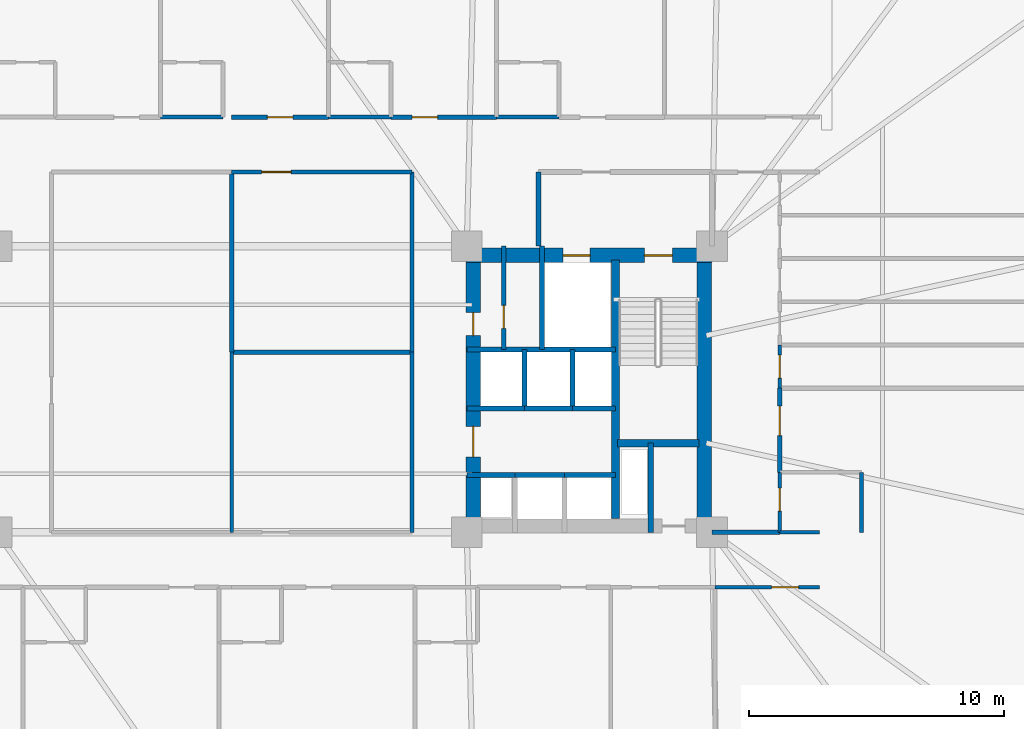
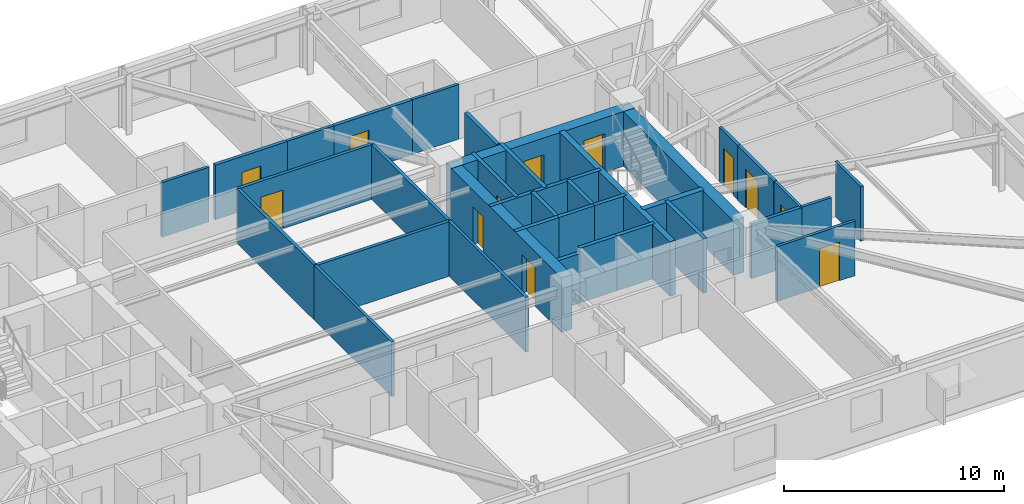
# One storey, part 17 of 22: 36 walls, 12 doors, 12 openings.
"""IFC4 building model written with IfcOpenShell, lengths in metres."""

from ifc_helpers import new_model, si_unit, direction, frame, frame_2d, origin, place, context, subcontext, project, spatial, rectangle, extrude, material, layer, layer_set, type_object, element, fill, save


model = new_model("IFC4")

# Units and contexts
model_context = context("Model", 3, precision=1e-05, world=origin(), true_north=direction((0.0, 1.0)))
body_context = subcontext(model_context, "Body", "Model", "MODEL_VIEW")
ifc_project = project(units=[si_unit("LENGTHUNIT", "METRE"), si_unit("AREAUNIT", "SQUARE_METRE"), si_unit("VOLUMEUNIT", "CUBIC_METRE"), si_unit("PLANEANGLEUNIT", "RADIAN"), si_unit("MASSUNIT", "GRAM", prefix="KILO")], contexts=[model_context])

# Site, building, storey
site_placement = place(None, origin())
site = spatial("IfcSite", under=ifc_project, at=site_placement, CompositionType="ELEMENT")
building_placement = place(site_placement, origin())
building = spatial("IfcBuilding", under=site, at=building_placement, Name="Qobustan Lattice House", CompositionType="ELEMENT")
storey_placement = place(building_placement, frame((0.0, 0.0, 33.699951171875)))
storey = spatial("IfcBuildingStorey", under=building, at=storey_placement, Name="L08", CompositionType="ELEMENT", Elevation=33.699951171875)

# Wall, openings, doors
ifc_material_1 = material(Name="Concrete C60/75", Category="concrete")
ifc_layer_1 = layer(ifc_material_1, 0.56005859375)
ifc_layer_set_1 = layer_set([ifc_layer_1], Name="Concrete C60/75")
wall_type_1 = type_object("IfcWallType", Name="WAL-CORE-600", PredefinedType="SHEAR", material=ifc_layer_set_1)
wall_1_placement = place(storey_placement, frame((9.199951171875, 5.239990234375, 0.0), z_axis=(0.0, 0.0, 1.0), x_axis=(1.0, 0.0, 0.0)))
wall_1 = element("IfcWall", 1, at=wall_1_placement, inside=storey, type_object=wall_type_1, Name="L08 split-core shear wall CE-N", PredefinedType="SHEAR", context=body_context, shape_type="SweptSolid", body=[
    extrude(rectangle(XDim=9.60009765625, YDim=0.56005859375, at=frame_2d((4.800048828125, 0.0))), origin(), (0.0, 0.0, 1.0), 3.03515625),
])
opening_1_placement = place(wall_1_placement, frame((6.949951171875, 0.0, 0.0)))
opening_1 = element("IfcOpeningElement", 2, at=opening_1_placement, cuts=wall_1, Name="Opening SD-01", PredefinedType="OPENING", context=body_context, shape_type="SweptSolid", body=[
    extrude(rectangle(XDim=1.10009765625, YDim=2.14990234375, at=frame_2d((0.550048828125, 1.074951171875))), frame((0.0, 0.2900390625, 0.0), z_axis=(0.0, -1.0, 0.0), x_axis=(1.0, 0.0, 0.0)), (0.0, 0.0, 1.0), 0.580078125),
])
opening_2_placement = place(wall_1_placement, frame((3.77490234375, 0.0, 0.0)))
opening_2 = element("IfcOpeningElement", 3, at=opening_2_placement, cuts=wall_1, Name="Opening LD-01", PredefinedType="OPENING", context=body_context, shape_type="SweptSolid", body=[
    extrude(rectangle(XDim=1.050048828125, YDim=2.10009765625, at=frame_2d((0.52490234375, 1.050048828125))), frame((0.0, 0.2900390625, 0.0), z_axis=(0.0, -1.0, 0.0), x_axis=(1.0, 0.0, 0.0)), (0.0, 0.0, 1.0), 0.580078125),
])
ifc_material_2 = material(Name="Persian walnut timber and steel frame door", Category="steel")
door_type_1 = type_object("IfcDoorType", Name="DOR-LIFT-LD-1050x2100", OperationType="NOTDEFINED", PredefinedType="DOOR", material=ifc_material_2)
door_1_placement = place(opening_2_placement, origin())
door_1 = element("IfcDoor", 4, at=door_1_placement, inside=storey, type_object=door_type_1, Name="L08 firefighting lift FF-E landing door", OperationType="DOUBLE_DOOR_SLIDING", OverallHeight=2.10009765625, OverallWidth=1.050048828125, PredefinedType="DOOR", context=body_context, shape_type="SweptSolid", body=[
    extrude(rectangle(XDim=1.050048828125, YDim=2.10009765625, at=frame_2d((0.52490234375, 1.050048828125))), frame((0.0, 0.02490234375, 0.0), z_axis=(0.0, -1.0, 0.0), x_axis=(1.0, 0.0, 0.0)), (0.0, 0.0, 1.0), 0.050048828125),
])
fill(opening_2, door_1)
ifc_material_3 = material(Name="Persian walnut timber and steel frame door", Category="steel")
door_type_2 = type_object("IfcDoorType", Name="DOR-STAIR-FD-1100x2150", OperationType="NOTDEFINED", PredefinedType="DOOR", material=ifc_material_3)
door_2_placement = place(opening_1_placement, origin())
door_2 = element("IfcDoor", 5, at=door_2_placement, inside=storey, type_object=door_type_2, Name="L08 exit stair ST-E1 fire door", OperationType="SINGLE_SWING_RIGHT", OverallHeight=2.14990234375, OverallWidth=1.10009765625, PredefinedType="DOOR", context=body_context, shape_type="SweptSolid", body=[
    extrude(rectangle(XDim=1.10009765625, YDim=2.14990234375, at=frame_2d((0.550048828125, 1.074951171875))), frame((0.0, 0.02490234375, 0.0), z_axis=(0.0, -1.0, 0.0), x_axis=(1.0, 0.0, 0.0)), (0.0, 0.0, 1.0), 0.050048828125),
])
fill(opening_1, door_2)

wall_2_placement = place(storey_placement, frame((9.449951171875, -5.050048828125, 0.0), z_axis=(0.0, 0.0, 1.0), x_axis=(0.0, 1.0, 0.0)))
wall_2 = element("IfcWall", 6, at=wall_2_placement, inside=storey, type_object=wall_type_1, Name="L08 split-core shear wall CE-W", PredefinedType="SHEAR", context=body_context, shape_type="SweptSolid", body=[
    extrude(rectangle(XDim=10.10009765625, YDim=0.56005859375, at=frame_2d((5.050048828125, 0.0))), origin(), (0.0, 0.0, 1.0), 3.03515625),
])
opening_3_placement = place(wall_2_placement, frame((7.14990234375, 0.0, 0.0)))
opening_3 = element("IfcOpeningElement", 7, at=opening_3_placement, cuts=wall_2, Name="Opening RD-01", PredefinedType="OPENING", context=body_context, shape_type="SweptSolid", body=[
    extrude(rectangle(XDim=0.89990234375, YDim=2.10009765625, at=frame_2d((0.449951171875, 1.050048828125))), frame((0.0, 0.2900390625, 0.0), z_axis=(0.0, -1.0, 0.0), x_axis=(1.0, 0.0, 0.0)), (0.0, 0.0, 1.0), 0.580078125),
])
opening_4_placement = place(wall_2_placement, frame((2.39990234375, 0.0, 0.0)))
opening_4 = element("IfcOpeningElement", 8, at=opening_4_placement, cuts=wall_2, Name="Opening FD-01", PredefinedType="OPENING", context=body_context, shape_type="SweptSolid", body=[
    extrude(rectangle(XDim=1.199951171875, YDim=2.14990234375, at=frame_2d((0.60009765625, 1.074951171875))), frame((0.0, 0.2900390625, 0.0), z_axis=(0.0, -1.0, 0.0), x_axis=(1.0, 0.0, 0.0)), (0.0, 0.0, 1.0), 0.580078125),
])
ifc_material_4 = material(Name="Persian walnut timber and steel frame door", Category="steel")
door_type_3 = type_object("IfcDoorType", Name="DOR-LOBBY-FD-1200x2150", OperationType="NOTDEFINED", PredefinedType="DOOR", material=ifc_material_4)
door_3_placement = place(opening_4_placement, origin())
door_3 = element("IfcDoor", 9, at=door_3_placement, inside=storey, type_object=door_type_3, Name="L08 East passenger lift lobby fire door", OperationType="SINGLE_SWING_LEFT", OverallHeight=2.14990234375, OverallWidth=1.199951171875, PredefinedType="DOOR", context=body_context, shape_type="SweptSolid", body=[
    extrude(rectangle(XDim=1.199951171875, YDim=2.14990234375, at=frame_2d((0.60009765625, 1.074951171875))), frame((0.0, 0.02490234375, 0.0), z_axis=(0.0, -1.0, 0.0), x_axis=(1.0, 0.0, 0.0)), (0.0, 0.0, 1.0), 0.050048828125),
])
fill(opening_4, door_3)
ifc_material_5 = material(Name="Persian walnut timber and steel frame door", Category="steel")
door_type_4 = type_object("IfcDoorType", Name="DOR-RISER-FD-900x2100", OperationType="NOTDEFINED", PredefinedType="DOOR", material=ifc_material_5)
door_4_placement = place(opening_3_placement, origin())
door_4 = element("IfcDoor", 10, at=door_4_placement, inside=storey, type_object=door_type_4, Name="L08 Print and mail closet fire door", OperationType="SINGLE_SWING_RIGHT", OverallHeight=2.10009765625, OverallWidth=0.89990234375, PredefinedType="DOOR", context=body_context, shape_type="SweptSolid", body=[
    extrude(rectangle(XDim=0.89990234375, YDim=2.10009765625, at=frame_2d((0.449951171875, 1.050048828125))), frame((0.0, 0.02490234375, 0.0), z_axis=(0.0, -1.0, 0.0), x_axis=(1.0, 0.0, 0.0)), (0.0, 0.0, 1.0), 0.050048828125),
])
fill(opening_3, door_4)

# Walls
wall_3_placement = place(storey_placement, frame((18.489990234375, -5.050048828125, 0.0), z_axis=(0.0, 0.0, 1.0), x_axis=(0.0, 1.0, 0.0)))
element("IfcWall", 11, at=wall_3_placement, inside=storey, type_object=wall_type_1, Name="L08 split-core shear wall CE-E", PredefinedType="SHEAR", context=body_context, shape_type="SweptSolid", body=[
    extrude(rectangle(XDim=10.10009765625, YDim=0.56005859375, at=frame_2d((5.050048828125, 0.0))), origin(), (0.0, 0.0, 1.0), 3.03515625),
])
ifc_material_6 = material(Name="Concrete C50/60", Category="concrete")
ifc_layer_2 = layer(ifc_material_6, 0.280029296875)
ifc_layer_set_2 = layer_set([ifc_layer_2], Name="Concrete C50/60")
wall_type_2 = type_object("IfcWallType", Name="WAL-CORE-SPINE-280", PredefinedType="SHEAR", material=ifc_layer_set_2)
wall_4_placement = place(storey_placement, frame((15.02001953125, -5.050048828125, 0.0), z_axis=(0.0, 0.0, 1.0), x_axis=(0.0, 1.0, 0.0)))
element("IfcWall", 12, at=wall_4_placement, inside=storey, type_object=wall_type_2, Name="L08 split-core shear wall CE-M", PredefinedType="SHEAR", context=body_context, shape_type="SweptSolid", body=[
    extrude(rectangle(XDim=10.10009765625, YDim=0.300048828125, at=frame_2d((5.050048828125, 0.0))), origin(), (0.0, 0.0, 1.0), 3.03515625),
])
wall_5_placement = place(storey_placement, frame((15.10009765625, -2.110107421875, 0.0), z_axis=(0.0, 0.0, 1.0), x_axis=(1.0, 0.0, 0.0)))
element("IfcWall", 13, at=wall_5_placement, inside=storey, type_object=wall_type_2, Name="L08 split-core shear wall CE-ST", PredefinedType="SHEAR", context=body_context, shape_type="SweptSolid", body=[
    extrude(rectangle(XDim=3.179931640625, YDim=0.300048828125, at=frame_2d((1.58984375, 0.0))), origin(), (0.0, 0.0, 1.0), 3.03515625),
])

# Wall, opening, door
ifc_material_7 = material(Name="Gypsum fireboard acoustic partition", Category="gypsum")
ifc_layer_3 = layer(ifc_material_7, 0.179931640625)
ifc_layer_set_3 = layer_set([ifc_layer_3], Name="Gypsum fireboard acoustic partition")
wall_type_3 = type_object("IfcWallType", Name="WAL-FIRE-180", PredefinedType="PARTITIONING", material=ifc_layer_set_3)
wall_6_placement = place(storey_placement, frame((10.64990234375, 1.550048828125, 0.0), z_axis=(0.0, 0.0, 1.0), x_axis=(0.0, 1.0, 0.0)))
wall_6 = element("IfcWall", 14, at=wall_6_placement, inside=storey, type_object=wall_type_3, Name="L08 interior partition 23", PredefinedType="PARTITIONING", context=body_context, shape_type="SweptSolid", body=[
    extrude(rectangle(XDim=4.050048828125, YDim=0.179931640625, at=frame_2d((2.02490234375, 0.0))), origin(), (0.0, 0.0, 1.0), 3.03515625),
])
opening_5_placement = place(wall_6_placement, frame((0.828857421875, 0.0, 0.0)))
opening_5 = element("IfcOpeningElement", 15, at=opening_5_placement, cuts=wall_6, Name="Opening RD-01", PredefinedType="OPENING", context=body_context, shape_type="SweptSolid", body=[
    extrude(rectangle(XDim=0.89990234375, YDim=2.10009765625, at=frame_2d((0.449951171875, 1.050048828125))), frame((0.0, 0.099853515625, 0.0), z_axis=(0.0, -1.0, 0.0), x_axis=(1.0, 0.0, 0.0)), (0.0, 0.0, 1.0), 0.199951171875),
])
door_5_placement = place(opening_5_placement, origin())
door_5 = element("IfcDoor", 16, at=door_5_placement, inside=storey, type_object=door_type_4, Name="L08 Print and mail closet to Core utility store door", OperationType="SINGLE_SWING_LEFT", OverallHeight=2.10009765625, OverallWidth=0.89990234375, PredefinedType="DOOR", context=body_context, shape_type="SweptSolid", body=[
    extrude(rectangle(XDim=0.89990234375, YDim=2.10009765625, at=frame_2d((0.449951171875, 1.050048828125))), frame((0.0, 0.02490234375, 0.0), z_axis=(0.0, -1.0, 0.0), x_axis=(1.0, 0.0, 0.0)), (0.0, 0.0, 1.0), 0.050048828125),
])
fill(opening_5, door_5)

wall_7_placement = place(storey_placement, frame((0.0, 10.64990234375, 0.0), z_axis=(0.0, 0.0, 1.0), x_axis=(1.0, 0.0, 0.0)))
wall_7 = element("IfcWall", 17, at=wall_7_placement, inside=storey, type_object=wall_type_3, Name="L08 interior partition 47", PredefinedType="PARTITIONING", context=body_context, shape_type="SweptSolid", body=[
    extrude(rectangle(XDim=3.785888671875, YDim=0.179931640625, at=frame_2d((1.89306640625, 0.0))), origin(), (0.0, 0.0, 1.0), 3.03515625),
])
opening_6_placement = place(wall_7_placement, frame((1.39306640625, 0.0, 0.0)))
opening_6 = element("IfcOpeningElement", 18, at=opening_6_placement, cuts=wall_7, Name="Opening FD-02", PredefinedType="OPENING", context=body_context, shape_type="SweptSolid", body=[
    extrude(rectangle(XDim=1.0, YDim=2.14990234375, at=frame_2d((0.5, 1.074951171875))), frame((0.0, 0.099853515625, 0.0), z_axis=(0.0, -1.0, 0.0), x_axis=(1.0, 0.0, 0.0)), (0.0, 0.0, 1.0), 0.199951171875),
])
ifc_material_8 = material(Name="Persian walnut timber and steel frame door", Category="steel")
door_type_5 = type_object("IfcDoorType", Name="DOR-UNIT-FD-1000x2150", OperationType="NOTDEFINED", PredefinedType="DOOR", material=ifc_material_8)
door_6_placement = place(opening_6_placement, origin())
door_6 = element("IfcDoor", 19, at=door_6_placement, inside=storey, type_object=door_type_5, Name="L08 North-east floor corridor to Kitchenette and studio apartment L08-N4 door", OperationType="SINGLE_SWING_RIGHT", OverallHeight=2.14990234375, OverallWidth=1.0, PredefinedType="DOOR", context=body_context, shape_type="SweptSolid", body=[
    extrude(rectangle(XDim=1.0, YDim=2.14990234375, at=frame_2d((0.5, 1.074951171875))), frame((0.0, 0.02490234375, 0.0), z_axis=(0.0, -1.0, 0.0), x_axis=(1.0, 0.0, 0.0)), (0.0, 0.0, 1.0), 0.050048828125),
])
fill(opening_6, door_6)

wall_8_placement = place(storey_placement, frame((6.236083984375, 10.64990234375, 0.0), z_axis=(0.0, 0.0, 1.0), x_axis=(1.0, 0.0, 0.0)))
wall_8 = element("IfcWall", 20, at=wall_8_placement, inside=storey, type_object=wall_type_3, Name="L08 interior partition 48", PredefinedType="PARTITIONING", context=body_context, shape_type="SweptSolid", body=[
    extrude(rectangle(XDim=4.120849609375, YDim=0.179931640625, at=frame_2d((2.060546875, 0.0))), origin(), (0.0, 0.0, 1.0), 3.03515625),
])
opening_7_placement = place(wall_8_placement, frame((0.8251953125, 0.0, 0.0)))
opening_7 = element("IfcOpeningElement", 21, at=opening_7_placement, cuts=wall_8, Name="Opening FD-02", PredefinedType="OPENING", context=body_context, shape_type="SweptSolid", body=[
    extrude(rectangle(XDim=1.0, YDim=2.14990234375, at=frame_2d((0.5, 1.074951171875))), frame((0.0, 0.099853515625, 0.0), z_axis=(0.0, -1.0, 0.0), x_axis=(1.0, 0.0, 0.0)), (0.0, 0.0, 1.0), 0.199951171875),
])
door_7_placement = place(opening_7_placement, origin())
door_7 = element("IfcDoor", 22, at=door_7_placement, inside=storey, type_object=door_type_5, Name="L08 North-east floor corridor to Kitchenette and studio apartment L08-N5 door", OperationType="SINGLE_SWING_LEFT", OverallHeight=2.14990234375, OverallWidth=1.0, PredefinedType="DOOR", context=body_context, shape_type="SweptSolid", body=[
    extrude(rectangle(XDim=1.0, YDim=2.14990234375, at=frame_2d((0.5, 1.074951171875))), frame((0.0, 0.02490234375, 0.0), z_axis=(0.0, -1.0, 0.0), x_axis=(1.0, 0.0, 0.0)), (0.0, 0.0, 1.0), 0.050048828125),
])
fill(opening_7, door_7)

# Wall
wall_9_placement = place(storey_placement, frame((18.800048828125, -5.60009765625, 0.0), z_axis=(0.0, 0.0, 1.0), x_axis=(1.0, 0.0, 0.0)))
element("IfcWall", 23, at=wall_9_placement, inside=storey, type_object=wall_type_3, Name="L08 interior partition 64", PredefinedType="PARTITIONING", context=body_context, shape_type="SweptSolid", body=[
    extrude(rectangle(XDim=2.64990234375, YDim=0.179931640625, at=frame_2d((1.324951171875, 0.0))), origin(), (0.0, 0.0, 1.0), 3.03515625),
])

# Wall, opening, door
ifc_material_9 = material(Name="Acoustic twin-stud gypsum partition", Category="gypsum")
ifc_layer_4 = layer(ifc_material_9, 0.14990234375)
ifc_layer_set_4 = layer_set([ifc_layer_4], Name="Acoustic twin-stud gypsum partition")
wall_type_4 = type_object("IfcWallType", Name="WAL-PART-150", PredefinedType="PARTITIONING", material=ifc_layer_set_4)
wall_10_placement = place(storey_placement, frame((23.0, -7.75, 0.0), z_axis=(0.0, 0.0, 1.0), x_axis=(-1.0, 0.0, 0.0)))
wall_10 = element("IfcWall", 24, at=wall_10_placement, inside=storey, type_object=wall_type_4, Name="L08 interior partition 71", PredefinedType="PARTITIONING", context=body_context, shape_type="SweptSolid", body=[
    extrude(rectangle(XDim=4.08349609375, YDim=0.14990234375, at=frame_2d((2.041748046875, 0.0))), origin(), (0.0, 0.0, 1.0), 3.03515625),
])
opening_8_placement = place(wall_10_placement, frame((0.814208984375, 0.0, 0.0)))
opening_8 = element("IfcOpeningElement", 25, at=opening_8_placement, cuts=wall_10, Name="Opening ID-02", PredefinedType="OPENING", context=body_context, shape_type="SweptSolid", body=[
    extrude(rectangle(XDim=1.050048828125, YDim=2.14990234375, at=frame_2d((0.52490234375, 1.074951171875))), frame((0.0, 0.0849609375, 0.0), z_axis=(0.0, -1.0, 0.0), x_axis=(1.0, 0.0, 0.0)), (0.0, 0.0, 1.0), 0.169921875),
])
ifc_material_10 = material(Name="Persian walnut timber and steel frame door", Category="steel")
door_type_6 = type_object("IfcDoorType", Name="DOR-STUDY-1050x2150", OperationType="NOTDEFINED", PredefinedType="DOOR", material=ifc_material_10)
door_8_placement = place(opening_8_placement, origin())
door_8 = element("IfcDoor", 26, at=door_8_placement, inside=storey, type_object=door_type_6, Name="L08 South-east floor corridor to Academic seminar room door", OperationType="SINGLE_SWING_RIGHT", OverallHeight=2.14990234375, OverallWidth=1.050048828125, PredefinedType="DOOR", context=body_context, shape_type="SweptSolid", body=[
    extrude(rectangle(XDim=1.050048828125, YDim=2.14990234375, at=frame_2d((0.52490234375, 1.074951171875))), frame((0.0, 0.02490234375, 0.0), z_axis=(0.0, -1.0, 0.0), x_axis=(1.0, 0.0, 0.0)), (0.0, 0.0, 1.0), 0.050048828125),
])
fill(opening_8, door_8)

# Wall
wall_11_placement = place(storey_placement, frame((7.050048828125, -5.60009765625, 0.0), z_axis=(0.0, 0.0, 1.0), x_axis=(0.0, 1.0, 0.0)))
element("IfcWall", 27, at=wall_11_placement, inside=storey, type_object=wall_type_4, Name="L08 interior partition 74", PredefinedType="PARTITIONING", context=body_context, shape_type="SweptSolid", body=[
    extrude(rectangle(XDim=7.050048828125, YDim=0.14990234375, at=frame_2d((3.52490234375, 0.0))), origin(), (0.0, 0.0, 1.0), 3.03515625),
])

# Wall, opening, door
wall_12_placement = place(storey_placement, frame((21.449951171875, 1.73193359375, 0.0), z_axis=(0.0, 0.0, 1.0), x_axis=(0.0, -1.0, 0.0)))
wall_12 = element("IfcWall", 28, at=wall_12_placement, inside=storey, type_object=wall_type_4, Name="L08 interior partition 92", PredefinedType="PARTITIONING", context=body_context, shape_type="SweptSolid", body=[
    extrude(rectangle(XDim=1.69189453125, YDim=0.14990234375, at=frame_2d((0.845947265625, 0.0))), origin(), (0.0, 0.0, 1.0), 3.03515625),
])
opening_9_placement = place(wall_12_placement, frame((0.39599609375, 0.0, 0.0)))
opening_9 = element("IfcOpeningElement", 29, at=opening_9_placement, cuts=wall_12, Name="Opening WD-01", PredefinedType="OPENING", context=body_context, shape_type="SweptSolid", body=[
    extrude(rectangle(XDim=0.89990234375, YDim=2.10009765625, at=frame_2d((0.449951171875, 1.050048828125))), frame((0.0, 0.0849609375, 0.0), z_axis=(0.0, -1.0, 0.0), x_axis=(1.0, 0.0, 0.0)), (0.0, 0.0, 1.0), 0.169921875),
])
ifc_material_11 = material(Name="Persian walnut timber and steel frame door", Category="steel")
door_type_7 = type_object("IfcDoorType", Name="DOR-WET-900x2100", OperationType="NOTDEFINED", PredefinedType="DOOR", material=ifc_material_11)
door_9_placement = place(opening_9_placement, origin())
door_9 = element("IfcDoor", 30, at=door_9_placement, inside=storey, type_object=door_type_7, Name="L08 Residence entrance hall L08E to Cluster bedroom L08E1 door", OperationType="SINGLE_SWING_RIGHT", OverallHeight=2.10009765625, OverallWidth=0.89990234375, PredefinedType="DOOR", context=body_context, shape_type="SweptSolid", body=[
    extrude(rectangle(XDim=0.89990234375, YDim=2.10009765625, at=frame_2d((0.449951171875, 1.050048828125))), frame((0.0, 0.02490234375, 0.0), z_axis=(0.0, -1.0, 0.0), x_axis=(1.0, 0.0, 0.0)), (0.0, 0.0, 1.0), 0.050048828125),
])
fill(opening_9, door_9)

# Wall
wall_13_placement = place(storey_placement, frame((0.0, 1.449951171875, 0.0), z_axis=(0.0, 0.0, 1.0), x_axis=(0.0, -1.0, 0.0)))
element("IfcWall", 31, at=wall_13_placement, inside=storey, type_object=wall_type_4, Name="L08 interior partition 142", PredefinedType="PARTITIONING", context=body_context, shape_type="SweptSolid", body=[
    extrude(rectangle(XDim=7.050048828125, YDim=0.14990234375, at=frame_2d((3.52490234375, 0.0))), origin(), (0.0, 0.0, 1.0), 3.03515625),
])

# Wall, opening, door
ifc_material_12 = material(Name="High-mass acoustic twin-stud partition", Category="gypsum")
ifc_layer_5 = layer(ifc_material_12, 0.1650390625)
ifc_layer_set_5 = layer_set([ifc_layer_5], Name="High-mass acoustic twin-stud partition")
wall_type_5 = type_object("IfcWallType", Name="WAL-PART-165", PredefinedType="PARTITIONING", material=ifc_layer_set_5)
wall_14_placement = place(storey_placement, frame((7.050048828125, 8.5, 0.0), z_axis=(0.0, 0.0, 1.0), x_axis=(-1.0, 0.0, 0.0)))
wall_14 = element("IfcWall", 32, at=wall_14_placement, inside=storey, type_object=wall_type_5, Name="L08 interior partition 53", PredefinedType="PARTITIONING", context=body_context, shape_type="SweptSolid", body=[
    extrude(rectangle(XDim=7.050048828125, YDim=0.1650390625, at=frame_2d((3.52490234375, 0.0))), origin(), (0.0, 0.0, 1.0), 3.03515625),
])
opening_10_placement = place(wall_14_placement, frame((4.7275390625, 0.0, 0.0)))
opening_10 = element("IfcOpeningElement", 33, at=opening_10_placement, cuts=wall_14, Name="Opening ID-03", PredefinedType="OPENING", context=body_context, shape_type="SweptSolid", body=[
    extrude(rectangle(XDim=1.14990234375, YDim=2.14990234375, at=frame_2d((0.574951171875, 1.074951171875))), frame((0.0, 0.092529296875, 0.0), z_axis=(0.0, -1.0, 0.0), x_axis=(1.0, 0.0, 0.0)), (0.0, 0.0, 1.0), 0.18505859375),
])
ifc_material_13 = material(Name="Persian walnut timber and steel frame door", Category="steel")
door_type_8 = type_object("IfcDoorType", Name="DOR-KITCH-1150x2150", OperationType="NOTDEFINED", PredefinedType="DOOR", material=ifc_material_13)
door_10_placement = place(opening_10_placement, origin())
door_10 = element("IfcDoor", 34, at=door_10_placement, inside=storey, type_object=door_type_8, Name="L08 North-east floor corridor to Communal kitchen dining door", OperationType="SINGLE_SWING_RIGHT", OverallHeight=2.14990234375, OverallWidth=1.14990234375, PredefinedType="DOOR", context=body_context, shape_type="SweptSolid", body=[
    extrude(rectangle(XDim=1.14990234375, YDim=2.14990234375, at=frame_2d((0.574951171875, 1.074951171875))), frame((0.0, 0.02490234375, 0.0), z_axis=(0.0, -1.0, 0.0), x_axis=(1.0, 0.0, 0.0)), (0.0, 0.0, 1.0), 0.050048828125),
])
fill(opening_10, door_10)

# Wall
wall_15_placement = place(storey_placement, frame((7.050048828125, 1.449951171875, 0.0), z_axis=(0.0, 0.0, 1.0), x_axis=(0.0, 1.0, 0.0)))
element("IfcWall", 35, at=wall_15_placement, inside=storey, type_object=wall_type_5, Name="L08 interior partition 75", PredefinedType="PARTITIONING", context=body_context, shape_type="SweptSolid", body=[
    extrude(rectangle(XDim=7.050048828125, YDim=0.1650390625, at=frame_2d((3.52490234375, 0.0))), origin(), (0.0, 0.0, 1.0), 3.03515625),
])

# Wall, opening, door
wall_16_placement = place(storey_placement, frame((21.449951171875, 0.0400390625, 0.0), z_axis=(0.0, 0.0, 1.0), x_axis=(0.0, -1.0, 0.0)))
wall_16 = element("IfcWall", 36, at=wall_16_placement, inside=storey, type_object=wall_type_5, Name="L08 interior partition 91", PredefinedType="PARTITIONING", context=body_context, shape_type="SweptSolid", body=[
    extrude(rectangle(XDim=3.2900390625, YDim=0.1650390625, at=frame_2d((1.64501953125, 0.0))), origin(), (0.0, 0.0, 1.0), 3.03515625),
])
opening_11_placement = place(wall_16_placement, frame((0.702392578125, 0.0, 0.0)))
opening_11 = element("IfcOpeningElement", 37, at=opening_11_placement, cuts=wall_16, Name="Opening ID-03", PredefinedType="OPENING", context=body_context, shape_type="SweptSolid", body=[
    extrude(rectangle(XDim=1.14990234375, YDim=2.14990234375, at=frame_2d((0.574951171875, 1.074951171875))), frame((0.0, 0.092529296875, 0.0), z_axis=(0.0, -1.0, 0.0), x_axis=(1.0, 0.0, 0.0)), (0.0, 0.0, 1.0), 0.18505859375),
])
door_11_placement = place(opening_11_placement, origin())
door_11 = element("IfcDoor", 38, at=door_11_placement, inside=storey, type_object=door_type_8, Name="L08 Residence entrance hall L08E to Shared kitchen L08E door", OperationType="SINGLE_SWING_LEFT", OverallHeight=2.14990234375, OverallWidth=1.14990234375, PredefinedType="DOOR", context=body_context, shape_type="SweptSolid", body=[
    extrude(rectangle(XDim=1.14990234375, YDim=2.14990234375, at=frame_2d((0.574951171875, 1.074951171875))), frame((0.0, 0.02490234375, 0.0), z_axis=(0.0, -1.0, 0.0), x_axis=(1.0, 0.0, 0.0)), (0.0, 0.0, 1.0), 0.050048828125),
])
fill(opening_11, door_11)

# Walls
for number, where, z_axis, x_axis, name in (
    (39, (0.0, 8.5, 0.0), (0.0, 0.0, 1.0), (0.0, -1.0, 0.0), "L08 interior partition 143"),
    (40, (0.0, 1.449951171875, 0.0), (0.0, 0.0, 1.0), (1.0, 0.0, 0.0), "L08 interior partition 144"),
):
    element("IfcWall", number, at=place(storey_placement, frame(where, z_axis=z_axis, x_axis=x_axis)), inside=storey, type_object=wall_type_5, Name=name, PredefinedType="PARTITIONING", context=body_context, shape_type="SweptSolid", body=[
        extrude(rectangle(XDim=7.050048828125, YDim=0.1650390625, at=frame_2d((3.52490234375, 0.0))), origin(), (0.0, 0.0, 1.0), 3.03515625),
    ])
ifc_material_14 = material(Name="Two-hour gypsum fireboard acoustic partition", Category="gypsum")
ifc_layer_6 = layer(ifc_material_14, 0.199951171875)
ifc_layer_set_6 = layer_set([ifc_layer_6], Name="Two-hour gypsum fireboard acoustic partition")
wall_type_6 = type_object("IfcWallType", Name="WAL-PROT-200", PredefinedType="PARTITIONING", material=ifc_layer_set_6)
wall_17_placement = place(storey_placement, frame((12.0, 8.5, 0.0), z_axis=(0.0, 0.0, 1.0), x_axis=(0.0, -1.0, 0.0)))
element("IfcWall", 41, at=wall_17_placement, inside=storey, type_object=wall_type_6, Name="L08 interior partition 21", PredefinedType="PARTITIONING", context=body_context, shape_type="SweptSolid", body=[
    extrude(rectangle(XDim=2.89990234375, YDim=0.199951171875, at=frame_2d((1.449951171875, 0.0))), origin(), (0.0, 0.0, 1.0), 3.03515625),
])
ifc_material_15 = material(Name="Concrete C40/50", Category="concrete")
ifc_layer_7 = layer(ifc_material_15, 0.199951171875)
ifc_layer_set_7 = layer_set([ifc_layer_7], Name="Concrete C40/50")
wall_type_7 = type_object("IfcWallType", Name="WAL-SHAFT-200", PredefinedType="PARTITIONING", material=ifc_layer_set_7)
wall_18_placement = place(storey_placement, frame((16.39990234375, -2.110107421875, 0.0), z_axis=(0.0, 0.0, 1.0), x_axis=(0.0, -1.0, 0.0)))
element("IfcWall", 42, at=wall_18_placement, inside=storey, type_object=wall_type_7, Name="L08 interior partition 18", PredefinedType="PARTITIONING", context=body_context, shape_type="SweptSolid", body=[
    extrude(rectangle(XDim=3.489990234375, YDim=0.199951171875, at=frame_2d((1.7451171875, 0.0))), origin(), (0.0, 0.0, 1.0), 3.03515625),
])
wall_19_placement = place(storey_placement, frame((12.14990234375, 5.60009765625, 0.0), z_axis=(0.0, 0.0, 1.0), x_axis=(0.0, -1.0, 0.0)))
element("IfcWall", 43, at=wall_19_placement, inside=storey, type_object=wall_type_7, Name="L08 interior partition 19", PredefinedType="PARTITIONING", context=body_context, shape_type="SweptSolid", body=[
    extrude(rectangle(XDim=4.050048828125, YDim=0.199951171875, at=frame_2d((2.02490234375, 0.0))), origin(), (0.0, 0.0, 1.0), 3.03515625),
])
wall_20_placement = place(storey_placement, frame((9.199951171875, -3.35009765625, 0.0), z_axis=(0.0, 0.0, 1.0), x_axis=(1.0, 0.0, 0.0)))
element("IfcWall", 44, at=wall_20_placement, inside=storey, type_object=wall_type_7, Name="L08 interior partition 25", PredefinedType="PARTITIONING", context=body_context, shape_type="SweptSolid", body=[
    extrude(rectangle(XDim=1.880126953125, YDim=0.199951171875, at=frame_2d((0.93994140625, 0.0))), origin(), (0.0, 0.0, 1.0), 2.75),
])
wall_21_placement = place(storey_placement, frame((11.080078125, -3.35009765625, 0.0), z_axis=(0.0, 0.0, 1.0), x_axis=(1.0, 0.0, 0.0)))
element("IfcWall", 45, at=wall_21_placement, inside=storey, type_object=wall_type_7, Name="L08 interior partition 26", PredefinedType="PARTITIONING", context=body_context, shape_type="SweptSolid", body=[
    extrude(rectangle(XDim=1.93994140625, YDim=0.199951171875, at=frame_2d((0.969970703125, 0.0))), origin(), (0.0, 0.0, 1.0), 3.03515625),
])
wall_22_placement = place(storey_placement, frame((13.02001953125, -3.35009765625, 0.0), z_axis=(0.0, 0.0, 1.0), x_axis=(1.0, 0.0, 0.0)))
element("IfcWall", 46, at=wall_22_placement, inside=storey, type_object=wall_type_7, Name="L08 interior partition 27", PredefinedType="PARTITIONING", context=body_context, shape_type="SweptSolid", body=[
    extrude(rectangle(XDim=2.0, YDim=0.199951171875, at=frame_2d((1.0, 0.0))), origin(), (0.0, 0.0, 1.0), 3.03515625),
])
wall_23_placement = place(storey_placement, frame((11.4599609375, -0.75, 0.0), z_axis=(0.0, 0.0, 1.0), x_axis=(-1.0, 0.0, 0.0)))
element("IfcWall", 47, at=wall_23_placement, inside=storey, type_object=wall_type_7, Name="L08 interior partition 28", PredefinedType="PARTITIONING", context=body_context, shape_type="SweptSolid", body=[
    extrude(rectangle(XDim=2.260009765625, YDim=0.199951171875, at=frame_2d((1.1298828125, 0.0))), origin(), (0.0, 0.0, 1.0), 3.03515625),
])
wall_24_placement = place(storey_placement, frame((13.340087890625, -0.75, 0.0), z_axis=(0.0, 0.0, 1.0), x_axis=(-1.0, 0.0, 0.0)))
element("IfcWall", 48, at=wall_24_placement, inside=storey, type_object=wall_type_7, Name="L08 interior partition 29", PredefinedType="PARTITIONING", context=body_context, shape_type="SweptSolid", body=[
    extrude(rectangle(XDim=1.880126953125, YDim=0.199951171875, at=frame_2d((0.93994140625, 0.0))), origin(), (0.0, 0.0, 1.0), 3.03515625),
])
wall_25_placement = place(storey_placement, frame((15.02001953125, -0.75, 0.0), z_axis=(0.0, 0.0, 1.0), x_axis=(-1.0, 0.0, 0.0)))
element("IfcWall", 49, at=wall_25_placement, inside=storey, type_object=wall_type_7, Name="L08 interior partition 30", PredefinedType="PARTITIONING", context=body_context, shape_type="SweptSolid", body=[
    extrude(rectangle(XDim=1.679931640625, YDim=0.199951171875, at=frame_2d((0.83984375, 0.0))), origin(), (0.0, 0.0, 1.0), 3.03515625),
])
for number, where, z_axis, x_axis, name in (
    (50, (11.4599609375, -0.75, 0.0), (0.0, 0.0, 1.0), (0.0, 1.0, 0.0), "L08 interior partition 34"),
    (51, (13.340087890625, -0.75, 0.0), (0.0, 0.0, 1.0), (0.0, 1.0, 0.0), "L08 interior partition 35"),
):
    element("IfcWall", number, at=place(storey_placement, frame(where, z_axis=z_axis, x_axis=x_axis)), inside=storey, type_object=wall_type_7, Name=name, PredefinedType="PARTITIONING", context=body_context, shape_type="SweptSolid", body=[
        extrude(rectangle(XDim=2.300048828125, YDim=0.199951171875, at=frame_2d((1.14990234375, 0.0))), origin(), (0.0, 0.0, 1.0), 3.03515625),
    ])
wall_26_placement = place(storey_placement, frame((9.199951171875, 1.550048828125, 0.0), z_axis=(0.0, 0.0, 1.0), x_axis=(1.0, 0.0, 0.0)))
element("IfcWall", 52, at=wall_26_placement, inside=storey, type_object=wall_type_7, Name="L08 interior partition 146", PredefinedType="PARTITIONING", context=body_context, shape_type="SweptSolid", body=[
    extrude(rectangle(XDim=5.820068359375, YDim=0.199951171875, at=frame_2d((2.91015625, 0.0))), origin(), (0.0, 0.0, 1.0), 3.03515625),
])
ifc_material_16 = material(Name="Moisture-resistant acoustic plumbing wall", Category="gypsum")
ifc_layer_8 = layer(ifc_material_16, 0.14990234375)
ifc_layer_set_8 = layer_set([ifc_layer_8], Name="Moisture-resistant acoustic plumbing wall")
wall_type_8 = type_object("IfcWallType", Name="WAL-WET-150", PredefinedType="PLUMBINGWALL", material=ifc_layer_set_8)
wall_27_placement = place(storey_placement, frame((-2.785888671875, 10.64990234375, 0.0), z_axis=(0.0, 0.0, 1.0), x_axis=(1.0, 0.0, 0.0)))
element("IfcWall", 53, at=wall_27_placement, inside=storey, type_object=wall_type_8, Name="L08 interior partition 43", PredefinedType="PLUMBINGWALL", context=body_context, shape_type="SweptSolid", body=[
    extrude(rectangle(XDim=2.449951171875, YDim=0.14990234375, at=frame_2d((1.22509765625, 0.0))), origin(), (0.0, 0.0, 1.0), 3.03515625),
])
wall_28_placement = place(storey_placement, frame((3.785888671875, 10.64990234375, 0.0), z_axis=(0.0, 0.0, 1.0), x_axis=(1.0, 0.0, 0.0)))
element("IfcWall", 54, at=wall_28_placement, inside=storey, type_object=wall_type_8, Name="L08 interior partition 49", PredefinedType="PLUMBINGWALL", context=body_context, shape_type="SweptSolid", body=[
    extrude(rectangle(XDim=2.4501953125, YDim=0.14990234375, at=frame_2d((1.22509765625, 0.0))), origin(), (0.0, 0.0, 1.0), 3.03515625),
])
wall_29_placement = place(storey_placement, frame((10.35693359375, 10.64990234375, 0.0), z_axis=(0.0, 0.0, 1.0), x_axis=(1.0, 0.0, 0.0)))
element("IfcWall", 55, at=wall_29_placement, inside=storey, type_object=wall_type_8, Name="L08 interior partition 51", PredefinedType="PLUMBINGWALL", context=body_context, shape_type="SweptSolid", body=[
    extrude(rectangle(XDim=2.449951171875, YDim=0.14990234375, at=frame_2d((1.22509765625, 0.0))), origin(), (0.0, 0.0, 1.0), 3.03515625),
])
wall_30_placement = place(storey_placement, frame((21.449951171875, -5.60009765625, 0.0), z_axis=(0.0, 0.0, 1.0), x_axis=(1.0, 0.0, 0.0)))
element("IfcWall", 56, at=wall_30_placement, inside=storey, type_object=wall_type_8, Name="L08 interior partition 65", PredefinedType="PLUMBINGWALL", context=body_context, shape_type="SweptSolid", body=[
    extrude(rectangle(XDim=1.550048828125, YDim=0.14990234375, at=frame_2d((0.77490234375, 0.0))), origin(), (0.0, 0.0, 1.0), 3.03515625),
])

# Wall, opening, door
wall_31_placement = place(storey_placement, frame((21.449951171875, -3.25, 0.0), z_axis=(0.0, 0.0, 1.0), x_axis=(0.0, -1.0, 0.0)))
wall_31 = element("IfcWall", 57, at=wall_31_placement, inside=storey, type_object=wall_type_8, Name="L08 interior partition 90", PredefinedType="PLUMBINGWALL", context=body_context, shape_type="SweptSolid", body=[
    extrude(rectangle(XDim=2.35009765625, YDim=0.14990234375, at=frame_2d((1.175048828125, 0.0))), origin(), (0.0, 0.0, 1.0), 3.03515625),
])
opening_12_placement = place(wall_31_placement, frame((0.6162109375, 0.0, 0.0)))
opening_12 = element("IfcOpeningElement", 58, at=opening_12_placement, cuts=wall_31, Name="Opening WD-01", PredefinedType="OPENING", context=body_context, shape_type="SweptSolid", body=[
    extrude(rectangle(XDim=0.89990234375, YDim=2.10009765625, at=frame_2d((0.449951171875, 1.050048828125))), frame((0.0, 0.0849609375, 0.0), z_axis=(0.0, -1.0, 0.0), x_axis=(1.0, 0.0, 0.0)), (0.0, 0.0, 1.0), 0.169921875),
])
door_12_placement = place(opening_12_placement, origin())
door_12 = element("IfcDoor", 59, at=door_12_placement, inside=storey, type_object=door_type_7, Name="L08 Residence entrance hall L08E to Shared bathroom L08E door", OperationType="SINGLE_SWING_RIGHT", OverallHeight=2.10009765625, OverallWidth=0.89990234375, PredefinedType="DOOR", context=body_context, shape_type="SweptSolid", body=[
    extrude(rectangle(XDim=0.89990234375, YDim=2.10009765625, at=frame_2d((0.449951171875, 1.050048828125))), frame((0.0, 0.02490234375, 0.0), z_axis=(0.0, -1.0, 0.0), x_axis=(1.0, 0.0, 0.0)), (0.0, 0.0, 1.0), 0.050048828125),
])
fill(opening_12, door_12)

# Wall
wall_32_placement = place(storey_placement, frame((24.64990234375, -3.25, 0.0), z_axis=(0.0, 0.0, 1.0), x_axis=(0.0, -1.0, 0.0)))
element("IfcWall", 60, at=wall_32_placement, inside=storey, type_object=wall_type_8, Name="L08 interior partition 98", PredefinedType="PLUMBINGWALL", context=body_context, shape_type="SweptSolid", body=[
    extrude(rectangle(XDim=2.35009765625, YDim=0.14990234375, at=frame_2d((1.175048828125, 0.0))), origin(), (0.0, 0.0, 1.0), 3.03515625),
])

save(model, "model.ifc")
